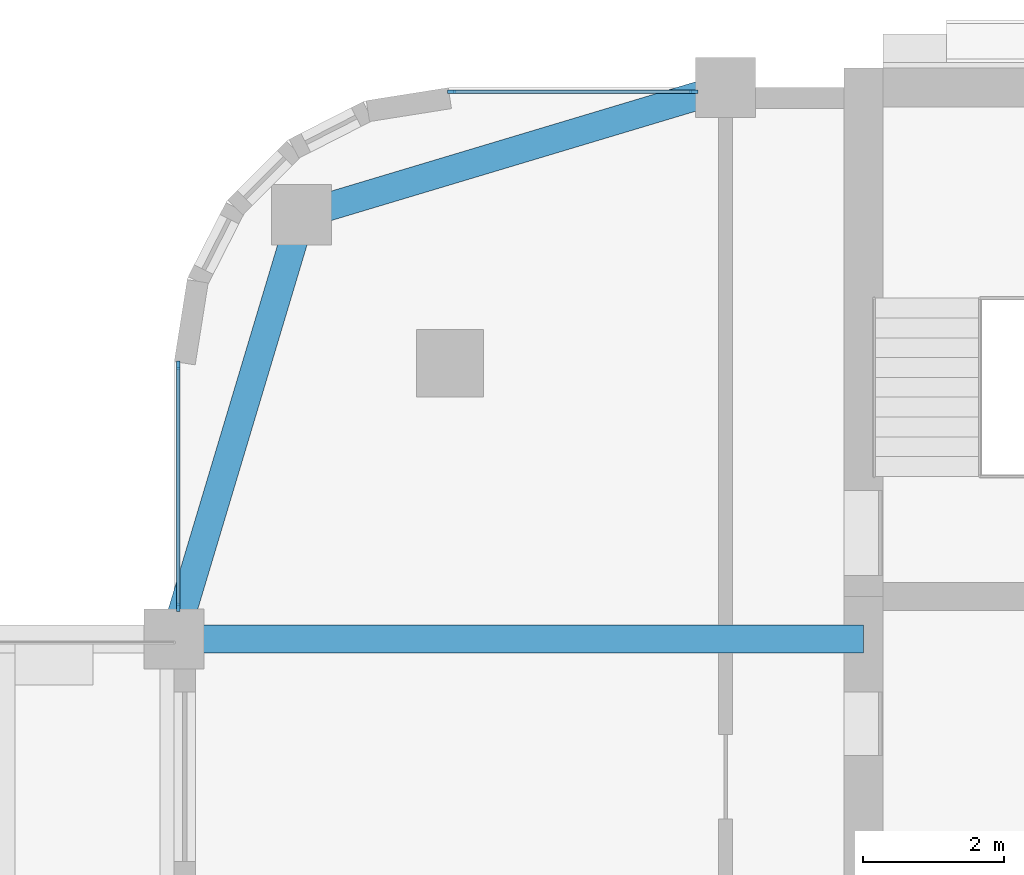
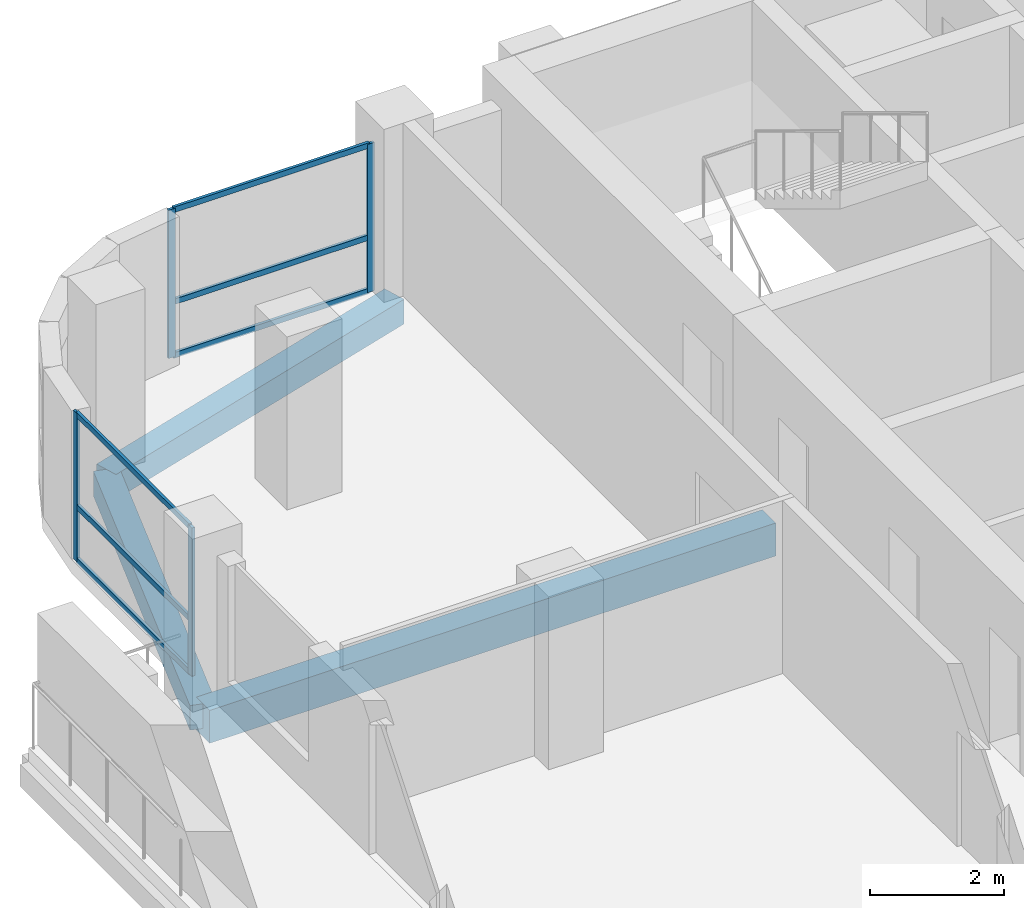
# One storey, part 7 of 19: 10 members, 3 beams, 2 elements without a shape of their own.
"""IFC4 building model written with IfcOpenShell, lengths in metres."""

import ifcopenshell
import ifcopenshell.guid

model = None  # the IFC model being written
_history = None  # IfcOwnerHistory: only IFC2X3 demands one
_inside = {}  # id of a spatial element -> (the spatial element, [elements in it])
_under = {}  # id of a project, library or spatial element -> (it, [spatial elements below it])
_declared = {}  # id of a project -> (the project, [libraries it declares])
_typed = {}  # id of a type object -> (the type object, [elements of that type])
_made_of = {}  # id of a material, layer set ... -> (it, [elements and type objects made of it])


def new_model(schema):
    """Start an empty IFC model of exactly this schema.

    Asked for "IFC4X3", IfcOpenShell would pick the latest addendum, in which some entities
    have other attributes; the version numbers below select the first issue.
    IFC2X3 requires an IfcOwnerHistory on every rooted entity: one is made here for all.
    """
    global model, _history
    if schema == "IFC4X3":
        model = ifcopenshell.file(schema_version=(4, 3, 0, 0))
    else:
        model = ifcopenshell.file(schema=schema)
    _inside.clear()
    _under.clear()
    _declared.clear()
    _typed.clear()
    _made_of.clear()
    _history = None
    if model.schema == "IFC2X3":
        org = make("IfcOrganization", Name="unknown")
        user = make(
            "IfcPersonAndOrganization",
            ThePerson=make("IfcPerson", FamilyName="unknown"),
            TheOrganization=org,
        )
        app = make(
            "IfcApplication",
            ApplicationDeveloper=org,
            Version="unknown",
            ApplicationFullName="unknown",
            ApplicationIdentifier="unknown",
        )
        _history = make(
            "IfcOwnerHistory",
            OwningUser=user,
            OwningApplication=app,
            ChangeAction="ADDED",
            CreationDate=0,
        )
    return model


def make(cls, **values):
    """One entity of the class cls with the attributes given. An attribute that is None is left unset."""
    return model.create_entity(
        cls, **{name: value for name, value in values.items() if value is not None}
    )


def rooted(cls, **values):
    """An entity with a GlobalId (a new one), such as an element, a storey or a relation."""
    return make(cls, GlobalId=ifcopenshell.guid.new(), OwnerHistory=_history, **values)


def si_unit(unit_type, name, prefix=None):
    """IfcSIUnit, for example si_unit("LENGTHUNIT", "METRE", prefix="MILLI")."""
    return make("IfcSIUnit", UnitType=unit_type, Prefix=prefix, Name=name)


def assignment(units):
    """IfcUnitAssignment: the units of a project."""
    return None if units is None else make("IfcUnitAssignment", Units=units)


def point(xyz):
    """IfcCartesianPoint."""
    return None if xyz is None else make("IfcCartesianPoint", Coordinates=xyz)


def direction(xyz):
    """IfcDirection."""
    return None if xyz is None else make("IfcDirection", DirectionRatios=xyz)


def frame(location, z_axis=None, x_axis=None):
    """IfcAxis2Placement3D, a coordinate frame: its origin and axes. An axis left out is left unset."""
    return make(
        "IfcAxis2Placement3D",
        Location=point(location),
        Axis=direction(z_axis),
        RefDirection=direction(x_axis),
    )


def frame_2d(location, x_axis=None):
    """IfcAxis2Placement2D, a coordinate frame in the plane: its origin and x axis."""
    return make(
        "IfcAxis2Placement2D", Location=point(location), RefDirection=direction(x_axis)
    )


def origin():
    """The frame at (0, 0, 0) with its axes left unset."""
    return frame((0.0, 0.0, 0.0))


def origin_2d():
    """The frame at (0, 0) in the plane with its x axis left unset."""
    return frame_2d((0.0, 0.0))


def place(relative_to, where):
    """IfcLocalPlacement: puts the frame where relative to a parent placement (None: the world)."""
    return make(
        "IfcLocalPlacement", PlacementRelTo=relative_to, RelativePlacement=where
    )


def context(
    kind, dimensions, precision=None, world=None, true_north=None, identifier=None
):
    """IfcGeometricRepresentationContext, for example the 3D "Model" context."""
    return make(
        "IfcGeometricRepresentationContext",
        ContextIdentifier=identifier,
        ContextType=kind,
        CoordinateSpaceDimension=dimensions,
        Precision=precision,
        WorldCoordinateSystem=world,
        TrueNorth=true_north,
    )


def subcontext(parent, identifier, kind, view, scale=None):
    """IfcGeometricRepresentationSubContext, for example "Body" below "Model"."""
    return make(
        "IfcGeometricRepresentationSubContext",
        ContextIdentifier=identifier,
        ContextType=kind,
        ParentContext=parent,
        TargetScale=scale,
        TargetView=view,
    )


def project(units=None, contexts=None):
    """IfcProject with its units and contexts."""
    return rooted(
        "IfcProject",
        Name="project",
        RepresentationContexts=contexts,
        UnitsInContext=assignment(units),
    )


def spatial(cls, under=None, at=None, **own):
    """A site, building, storey or space (cls), placed at a placement, below another one or the project."""
    s = rooted(cls, ObjectPlacement=at, **own)
    if under is not None:
        _under.setdefault(under.id(), (under, []))[1].append(s)
    return s


def profile(cls, at=None, kind="AREA", **sizes):
    """A parametric profile (cls). Its sizes go by their IFC names, for example OverallWidth=200.0."""
    return make(cls, ProfileType=kind, Position=at, **sizes)


def rectangle(**sizes):
    """IfcRectangleProfileDef."""
    return profile("IfcRectangleProfileDef", **sizes)


def extrude(swept, where, along, depth):
    """IfcExtrudedAreaSolid: the profile swept, set in the frame where, extruded along a direction by depth."""
    return make(
        "IfcExtrudedAreaSolid",
        SweptArea=swept,
        Position=where,
        ExtrudedDirection=direction(along),
        Depth=depth,
    )


def shape(context_of_items, identifier, shape_type, items):
    """IfcShapeRepresentation: the items that make up one representation, for example the "Body"."""
    return make(
        "IfcShapeRepresentation",
        ContextOfItems=context_of_items,
        RepresentationIdentifier=identifier,
        RepresentationType=shape_type,
        Items=items,
    )


def material(Name=None, Category=None):
    """IfcMaterial."""
    return make("IfcMaterial", Name=Name, Category=Category)


def material_profile(
    of_material, cross_section, Name=None, Category=None, Priority=None
):
    """IfcMaterialProfile: a cross section and its material."""
    return make(
        "IfcMaterialProfile",
        Name=Name,
        Material=of_material,
        Profile=cross_section,
        Priority=Priority,
        Category=Category,
    )


def profile_set(profiles, Name=None, composite=None):
    """IfcMaterialProfileSet."""
    return make(
        "IfcMaterialProfileSet",
        Name=Name,
        MaterialProfiles=profiles,
        CompositeProfile=composite,
    )


def made_of(thing, what):
    """Note that an element or type object is made of a material, layer set ...; save() writes the relation."""
    if what is not None:
        _made_of.setdefault(what.id(), (what, []))[1].append(thing)
    return thing


def type_object(cls, material=None, **own):
    """A type object (cls), such as IfcWallType, which elements share."""
    return made_of(rooted(cls, **own), material)


def element(
    cls,
    number,
    at=None,
    inside=None,
    cuts=None,
    type_object=None,
    material=None,
    context=None,
    identifier="Body",
    shape_type=None,
    held_by="IfcProductDefinitionShape",
    body=None,
    shapes=None,
    **own,
):
    """One element of the class cls, such as IfcWall. Its Tag is "e" and its number.

    at: its placement. inside: the storey or other place that contains it. cuts: it is an
    opening in that element (IfcRelVoidsElement). A single representation is given by context,
    identifier, shape_type and body (its items); several are given by shapes. held_by: the class
    of the entity that holds the representations. save() writes the other relations.
    """
    e = rooted(cls, Tag="e%d" % number, ObjectPlacement=at, **own)
    if body is not None:
        shapes = [shape(context, identifier, shape_type, body)]
    if shapes is not None:
        e.Representation = make(held_by, Representations=shapes)
    if inside is not None:
        _inside.setdefault(inside.id(), (inside, []))[1].append(e)
    if cuts is not None:
        rooted(
            "IfcRelVoidsElement", RelatingBuildingElement=cuts, RelatedOpeningElement=e
        )
    if type_object is not None:
        _typed.setdefault(type_object.id(), (type_object, []))[1].append(e)
    return made_of(e, material)


def aggregate(whole, parts):
    """IfcRelAggregates: a whole, such as a stair, and the parts it consists of."""
    return rooted("IfcRelAggregates", RelatingObject=whole, RelatedObjects=parts)


def save(model, path):
    """Write the relations noted so far, then the file.

    IfcRelAggregates (storeys below a building ...), IfcRelContainedInSpatialStructure (elements
    in a storey), IfcRelDefinesByType, IfcRelAssociatesMaterial and IfcRelDeclares: one each for
    every whole, place, type object, material and project.
    """
    for whole, parts in _under.values():
        aggregate(whole, parts)
    for where, things in _inside.values():
        rooted(
            "IfcRelContainedInSpatialStructure",
            RelatedElements=things,
            RelatingStructure=where,
        )
    for kind, things in _typed.values():
        rooted("IfcRelDefinesByType", RelatedObjects=things, RelatingType=kind)
    for what, things in _made_of.values():
        rooted("IfcRelAssociatesMaterial", RelatedObjects=things, RelatingMaterial=what)
    for by, libraries in _declared.values():
        rooted("IfcRelDeclares", RelatingContext=by, RelatedDefinitions=libraries)
    model.write(path)


model = new_model("IFC4")

# Units and contexts
model_context = context("Model", 3, precision=1e-05, world=origin(), true_north=direction((0.0, 1.0)))
body_context = subcontext(model_context, "Body", "Model", "MODEL_VIEW")
ifc_project = project(units=[si_unit("LENGTHUNIT", "METRE"), si_unit("AREAUNIT", "SQUARE_METRE"), si_unit("VOLUMEUNIT", "CUBIC_METRE"), si_unit("PLANEANGLEUNIT", "RADIAN"), si_unit("MASSUNIT", "GRAM", prefix="KILO")], contexts=[model_context])

# Site, building, storey
site_placement = place(None, origin())
site = spatial("IfcSite", under=ifc_project, at=site_placement, CompositionType="ELEMENT")
building_placement = place(site_placement, origin())
building = spatial("IfcBuilding", under=site, at=building_placement, Name="Ludao Terraces", CompositionType="ELEMENT")
storey_placement = place(building_placement, frame((0.0, 0.0, 133.89990234375)))
storey = spatial("IfcBuildingStorey", under=building, at=storey_placement, Name="L36", CompositionType="ELEMENT", Elevation=133.89990234375)

# Curtain wall, members
ifc_material_1 = material(Name="Aluminium curtain wall with fritted glass", Category="aluminium")
curtain_wall_type = type_object("IfcCurtainWallType", Name="ENV CW3 community glazing", PredefinedType="NOTDEFINED", material=ifc_material_1)
curtain_wall_1_placement = place(storey_placement, origin())
curtain_wall_1 = element("IfcCurtainWall", 1, at=curtain_wall_1_placement, inside=storey, type_object=curtain_wall_type, Name="Community floor glazing L36 N1", PredefinedType="NOTDEFINED")
ifc_material_2 = material(Name="Aluminium 6063-T6", Category="aluminium")
ifc_material_profile_1 = material_profile(ifc_material_2, rectangle(XDim=0.050048828125, YDim=0.1201171875, at=origin_2d()), Name="50 X 120")
ifc_profile_set_1 = profile_set([ifc_material_profile_1], Name="Aluminium 6063-T6")
member_type_1 = type_object("IfcMemberType", Name="ENV CW3 mullion 50x120", PredefinedType="MULLION", material=ifc_profile_set_1)
member_1_placement = place(storey_placement, frame((69.425048828125, 84.43994140625, 0.0), z_axis=(0.0, 0.0, 1.0), x_axis=(0.0, 1.0, 0.0)))
member_1 = element("IfcMember", 2, at=member_1_placement, type_object=member_type_1, Name="CW3 mullion 1", PredefinedType="MULLION", context=body_context, shape_type="SweptSolid", body=[
    extrude(rectangle(XDim=0.050048828125, YDim=0.1201171875, at=origin_2d()), origin(), (0.0, 0.0, 1.0), 2.7001953125),
])
member_2_placement = place(storey_placement, frame((72.85009765625, 84.43994140625, 0.0), z_axis=(0.0, 0.0, 1.0), x_axis=(0.0, 1.0, 0.0)))
member_2 = element("IfcMember", 3, at=member_2_placement, type_object=member_type_1, Name="CW3 mullion 2", PredefinedType="MULLION", context=body_context, shape_type="SweptSolid", body=[
    extrude(rectangle(XDim=0.050048828125, YDim=0.1201171875, at=origin_2d()), origin(), (0.0, 0.0, 1.0), 2.7001953125),
])

curtain_wall_2_placement = place(storey_placement, origin())
curtain_wall_2 = element("IfcCurtainWall", 4, at=curtain_wall_2_placement, inside=storey, type_object=curtain_wall_type, Name="Community floor glazing L36 W5", PredefinedType="NOTDEFINED")
member_3_placement = place(storey_placement, frame((65.56005859375, 77.14990234375, 0.0), z_axis=(0.0, 0.0, 1.0), x_axis=(-1.0, 0.0, 0.0)))
member_3 = element("IfcMember", 5, at=member_3_placement, type_object=member_type_1, Name="CW3 mullion 1", PredefinedType="MULLION", context=body_context, shape_type="SweptSolid", body=[
    extrude(rectangle(XDim=0.050048828125, YDim=0.1201171875, at=origin_2d()), origin(), (0.0, 0.0, 1.0), 2.7001953125),
])
member_4_placement = place(storey_placement, frame((65.56005859375, 80.574951171875, 0.0), z_axis=(0.0, 0.0, 1.0), x_axis=(-1.0, 0.0, 0.0)))
member_4 = element("IfcMember", 6, at=member_4_placement, type_object=member_type_1, Name="CW3 mullion 2", PredefinedType="MULLION", context=body_context, shape_type="SweptSolid", body=[
    extrude(rectangle(XDim=0.050048828125, YDim=0.1201171875, at=origin_2d()), origin(), (0.0, 0.0, 1.0), 2.7001953125),
])

# Member
ifc_material_profile_2 = material_profile(ifc_material_2, rectangle(XDim=0.050048828125, YDim=0.10009765625, at=origin_2d()), Name="50 X 100")
ifc_profile_set_2 = profile_set([ifc_material_profile_2], Name="Aluminium 6063-T6")
member_type_2 = type_object("IfcMemberType", Name="ENV CW3 transom 50x100", PredefinedType="USERDEFINED", material=ifc_profile_set_2)
member_5_placement = place(storey_placement, frame((69.449951171875, 84.43994140625, 0.025146484375), z_axis=(1.0, 0.0, 0.0), x_axis=(0.0, 1.0, 0.0)))
member_5 = element("IfcMember", 7, at=member_5_placement, type_object=member_type_2, Name="CW3 transom 1.1", ObjectType="TRANSOM", PredefinedType="USERDEFINED", context=body_context, shape_type="SweptSolid", body=[
    extrude(rectangle(XDim=0.050048828125, YDim=0.10009765625, at=origin_2d()), origin(), (0.0, 0.0, 1.0), 3.375),
])

member_6_placement = place(storey_placement, frame((69.449951171875, 84.43994140625, 1.0), z_axis=(1.0, 0.0, 0.0), x_axis=(0.0, 1.0, 0.0)))
member_6 = element("IfcMember", 8, at=member_6_placement, type_object=member_type_2, Name="CW3 transom 1.2", ObjectType="TRANSOM", PredefinedType="USERDEFINED", context=body_context, shape_type="SweptSolid", body=[
    extrude(rectangle(XDim=0.050048828125, YDim=0.10009765625, at=origin_2d()), origin(), (0.0, 0.0, 1.0), 3.375),
])

member_7_placement = place(storey_placement, frame((69.449951171875, 84.43994140625, 2.675048828125), z_axis=(1.0, 0.0, 0.0), x_axis=(0.0, 1.0, 0.0)))
member_7 = element("IfcMember", 9, at=member_7_placement, type_object=member_type_2, Name="CW3 transom 1.3", ObjectType="TRANSOM", PredefinedType="USERDEFINED", context=body_context, shape_type="SweptSolid", body=[
    extrude(rectangle(XDim=0.050048828125, YDim=0.10009765625, at=origin_2d()), origin(), (0.0, 0.0, 1.0), 3.375),
])

aggregate(curtain_wall_1, [member_1, member_2, member_5, member_6, member_7])

member_8_placement = place(storey_placement, frame((65.56005859375, 77.175048828125, 0.025146484375), z_axis=(0.0, 1.0, 0.0), x_axis=(-1.0, 0.0, 0.0)))
member_8 = element("IfcMember", 10, at=member_8_placement, type_object=member_type_2, Name="CW3 transom 1.1", ObjectType="TRANSOM", PredefinedType="USERDEFINED", context=body_context, shape_type="SweptSolid", body=[
    extrude(rectangle(XDim=0.050048828125, YDim=0.10009765625, at=origin_2d()), origin(), (0.0, 0.0, 1.0), 3.375),
])

member_9_placement = place(storey_placement, frame((65.56005859375, 77.175048828125, 1.0), z_axis=(0.0, 1.0, 0.0), x_axis=(-1.0, 0.0, 0.0)))
member_9 = element("IfcMember", 11, at=member_9_placement, type_object=member_type_2, Name="CW3 transom 1.2", ObjectType="TRANSOM", PredefinedType="USERDEFINED", context=body_context, shape_type="SweptSolid", body=[
    extrude(rectangle(XDim=0.050048828125, YDim=0.10009765625, at=origin_2d()), origin(), (0.0, 0.0, 1.0), 3.375),
])

member_10_placement = place(storey_placement, frame((65.56005859375, 77.175048828125, 2.675048828125), z_axis=(0.0, 1.0, 0.0), x_axis=(-1.0, 0.0, 0.0)))
member_10 = element("IfcMember", 12, at=member_10_placement, type_object=member_type_2, Name="CW3 transom 1.3", ObjectType="TRANSOM", PredefinedType="USERDEFINED", context=body_context, shape_type="SweptSolid", body=[
    extrude(rectangle(XDim=0.050048828125, YDim=0.10009765625, at=origin_2d()), origin(), (0.0, 0.0, 1.0), 3.375),
])

aggregate(curtain_wall_2, [member_3, member_4, member_8, member_9, member_10])

# Beams
ifc_material_3 = material(Name="Concrete C40", Category="concrete")
ifc_material_profile_3 = material_profile(ifc_material_3, rectangle(XDim=0.39990234375, YDim=0.449951171875, at=origin_2d()), Name="400 X 450")
ifc_profile_set_3 = profile_set([ifc_material_profile_3], Name="Concrete C40")
beam_type_1 = type_object("IfcBeamType", Name="RC beam 400x450 C40", PredefinedType="BEAM", material=ifc_profile_set_3)
for number, where, z_axis, x_axis, name in (
    (13, (67.300048828125, 82.699951171875, -0.474853515625), (0.957824139839, 0.287355036744, 0.0), (-0.287355036744, 0.957824139839, 0.0), "Spandrel beam L36 N6"),
    (14, (65.5, 76.699951171875, -0.474853515625), (0.287355036744, 0.957824139839, 0.0), (-0.957824139839, 0.287355036744, 0.0), "Spandrel beam L36 W12"),
):
    element("IfcBeam", number, at=place(storey_placement, frame(where, z_axis=z_axis, x_axis=x_axis)), inside=storey, type_object=beam_type_1, Name=name, PredefinedType="BEAM", context=body_context, shape_type="SweptSolid", body=[
        extrude(rectangle(XDim=0.39990234375, YDim=0.449951171875, at=origin_2d()), origin(), (0.0, 0.0, 1.0), 6.26416015625),
    ])
ifc_material_profile_4 = material_profile(ifc_material_3, rectangle(XDim=0.39990234375, YDim=0.60009765625, at=origin_2d()), Name="400 X 600")
ifc_profile_set_4 = profile_set([ifc_material_profile_4], Name="Concrete C40")
beam_type_2 = type_object("IfcBeamType", Name="RC beam 400x600 C40", PredefinedType="BEAM", material=ifc_profile_set_4)
beam_placement = place(storey_placement, frame((75.25, 76.699951171875, -0.5498046875), z_axis=(-1.0, 0.0, 0.0), x_axis=(0.0, -1.0, 0.0)))
element("IfcBeam", 15, at=beam_placement, inside=storey, type_object=beam_type_2, Name="Balcony beam L36 W767", PredefinedType="BEAM", context=body_context, shape_type="SweptSolid", body=[
    extrude(rectangle(XDim=0.39990234375, YDim=0.60009765625, at=origin_2d()), origin(), (0.0, 0.0, 1.0), 9.75),
])

save(model, "model.ifc")
